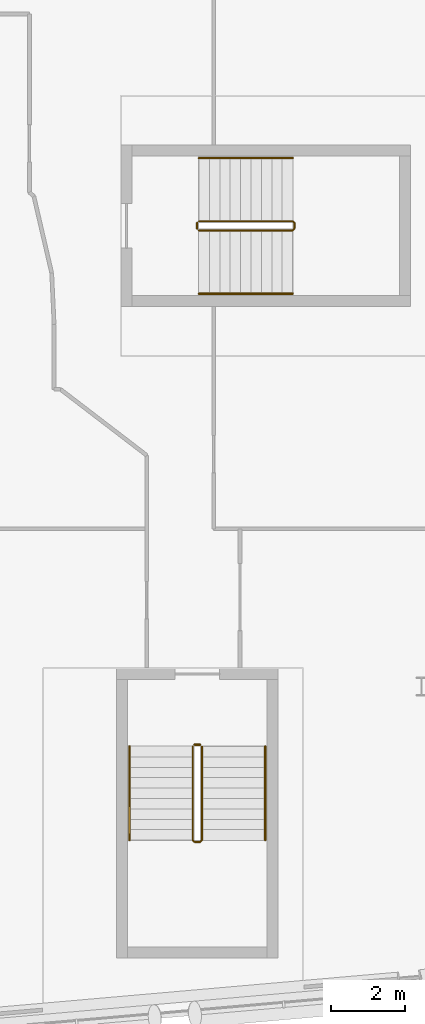
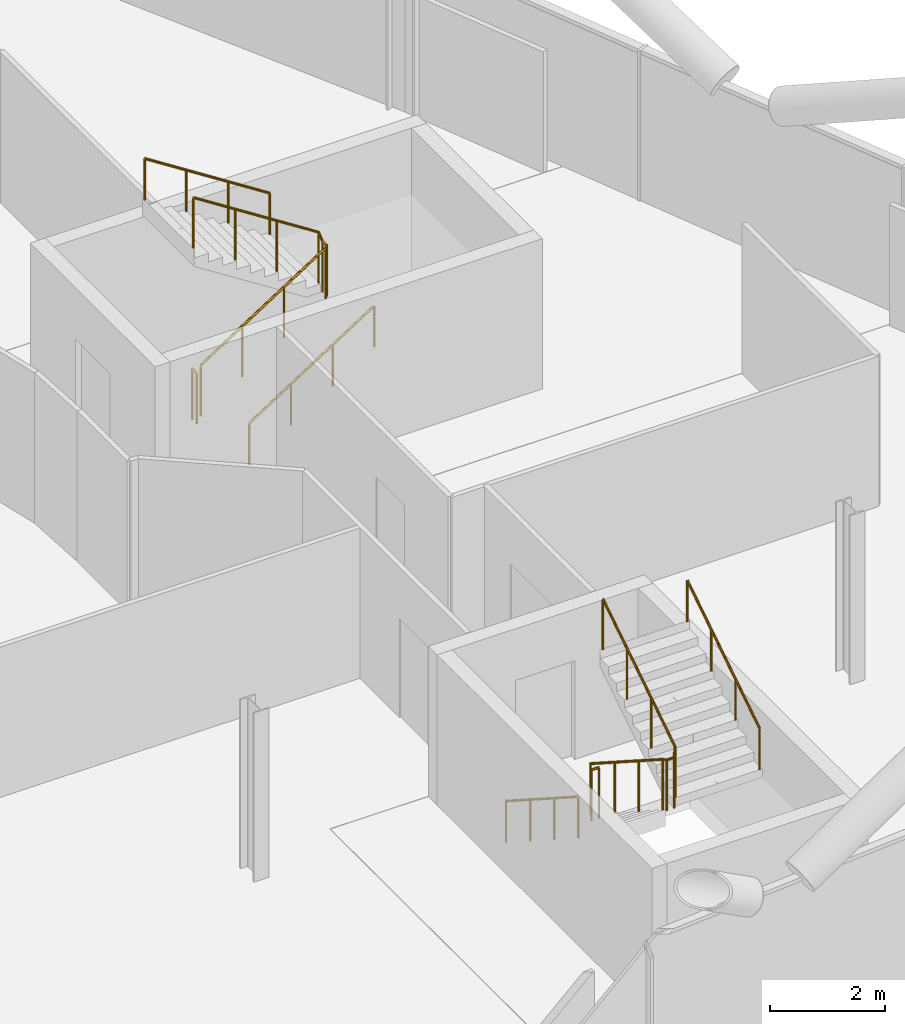
# One storey, part 25 of 26: 8 railings.
"""IFC4 building model written with IfcOpenShell, lengths in metres."""

from ifc_helpers import new_model, si_unit, direction, frame, origin, origin_2d, place, context, subcontext, project, spatial, circle, extrude, material, type_object, element, save


model = new_model("IFC4")

# Units and contexts
model_context = context("Model", 3, precision=1e-05, world=origin(), true_north=direction((0.0, 1.0)))
body_context = subcontext(model_context, "Body", "Model", "MODEL_VIEW")
ifc_project = project(units=[si_unit("LENGTHUNIT", "METRE"), si_unit("AREAUNIT", "SQUARE_METRE"), si_unit("VOLUMEUNIT", "CUBIC_METRE"), si_unit("PLANEANGLEUNIT", "RADIAN"), si_unit("MASSUNIT", "GRAM", prefix="KILO")], contexts=[model_context])

# Site, building, storey
site_placement = place(None, origin())
site = spatial("IfcSite", under=ifc_project, at=site_placement, CompositionType="ELEMENT")
building_placement = place(site_placement, origin())
building = spatial("IfcBuilding", under=site, at=building_placement, Name="Wharfspan Tower", CompositionType="ELEMENT")
storey_placement = place(building_placement, frame((0.0, 0.0, 166.300049)))
storey = spatial("IfcBuildingStorey", under=building, at=storey_placement, Name="L40", CompositionType="ELEMENT", Elevation=166.300049)

# Railings
ifc_material = material(Name="Steel S355J2", Category="steel")
railing_type_1 = type_object("IfcRailingType", Name="Stair guard 1100", PredefinedType="GUARDRAIL", material=ifc_material)
railing_1_placement = place(storey_placement, frame((65.836426, 9.883789, 0.179932)))
element("IfcRailing", 1, at=railing_1_placement, inside=storey, type_object=railing_type_1, Name="L40 ST5 stair guard 1", PredefinedType="GUARDRAIL", context=body_context, shape_type="SweptSolid", body=[
    extrude(circle(Radius=0.023926, at=origin_2d()), frame((0.0, 0.0, 1.076172), z_axis=(0.0, -0.841163, 0.540782), x_axis=(1.0, 0.0, 0.0)), (0.0, 0.0, 1.0), 2.99585),
    extrude(circle(Radius=0.023926, at=origin_2d()), frame((0.0, -2.52002, 2.696289), z_axis=(0.705376, -0.708834, 0.0), x_axis=(0.708834, 0.705376, 0.0)), (0.0, 0.0, 1.0), 0.070557),
    extrude(circle(Radius=0.023926, at=origin_2d()), frame((0.049805, -2.570068, 2.696289), z_axis=(1.0, 0.0, 0.0), x_axis=(0.0, 1.0, 0.0)), (0.0, 0.0, 1.0), 0.150146),
    extrude(circle(Radius=0.023926, at=origin_2d()), frame((0.199951, -2.570068, 2.696289), z_axis=(0.258848, 0.258848, 0.930589), x_axis=(-0.707107, 0.707107, 0.0)), (0.0, 0.0, 1.0), 0.193359),
    extrude(circle(Radius=0.023926, at=origin_2d()), frame((0.25, -2.52002, 2.875977), z_axis=(0.0, 0.8412, 0.540725), x_axis=(-1.0, 0.0, 0.0)), (0.0, 0.0, 1.0), 2.99585),
    extrude(circle(Radius=0.020996, at=origin_2d()), origin(), (0.0, 0.0, 1.0), 1.052002),
    extrude(circle(Radius=0.020996, at=origin_2d()), frame((0.0, -0.840088, 0.540039)), (0.0, 0.0, 1.0), 1.052002),
    extrude(circle(Radius=0.020996, at=origin_2d()), frame((0.0, -1.679932, 1.080078)), (0.0, 0.0, 1.0), 1.052002),
    extrude(circle(Radius=0.020996, at=origin_2d()), frame((0.0, -2.52002, 1.620117)), (0.0, 0.0, 1.0), 1.052002),
    extrude(circle(Radius=0.020996, at=origin_2d()), frame((0.049805, -2.570068, 1.620117)), (0.0, 0.0, 1.0), 1.052002),
    extrude(circle(Radius=0.020996, at=origin_2d()), frame((0.199951, -2.570068, 1.620117)), (0.0, 0.0, 1.0), 1.052002),
    extrude(circle(Radius=0.020996, at=origin_2d()), frame((0.25, -2.52002, 1.800049)), (0.0, 0.0, 1.0), 1.052002),
    extrude(circle(Radius=0.020996, at=origin_2d()), frame((0.25, -1.679932, 2.340088)), (0.0, 0.0, 1.0), 1.052002),
    extrude(circle(Radius=0.020996, at=origin_2d()), frame((0.25, -0.840088, 2.879883)), (0.0, 0.0, 1.0), 1.052002),
    extrude(circle(Radius=0.020996, at=origin_2d()), frame((0.25, 0.0, 3.419922)), (0.0, 0.0, 1.0), 1.052002),
])
railing_2_placement = place(storey_placement, frame((65.88623, 9.933594, 0.0)))
element("IfcRailing", 2, at=railing_2_placement, inside=storey, type_object=railing_type_1, Name="L40 ST5 stair guard 2", PredefinedType="GUARDRAIL", context=body_context, shape_type="SweptSolid", body=[
    extrude(circle(Radius=0.023926, at=origin_2d()), frame((0.0, 0.0, 1.076172), z_axis=(1.0, 0.0, 0.0), x_axis=(0.0, 1.0, 0.0)), (0.0, 0.0, 1.0), 0.150146),
    extrude(circle(Radius=0.020996, at=origin_2d()), origin(), (0.0, 0.0, 1.0), 1.052002),
    extrude(circle(Radius=0.020996, at=origin_2d()), frame((0.150146, 0.0, 0.0)), (0.0, 0.0, 1.0), 1.052002),
])
railing_3_placement = place(storey_placement, frame((66.004639, 23.774902, 0.179932)))
element("IfcRailing", 3, at=railing_3_placement, inside=storey, type_object=railing_type_1, Name="L40 ST6 stair guard 1", PredefinedType="GUARDRAIL", context=body_context, shape_type="SweptSolid", body=[
    extrude(circle(Radius=0.023926, at=origin_2d()), frame((0.0, 0.0, 1.076172), z_axis=(0.841163, 0.0, 0.540782), x_axis=(0.0, 1.0, 0.0)), (0.0, 0.0, 1.0), 2.99585),
    extrude(circle(Radius=0.023926, at=origin_2d()), frame((2.52002, 0.0, 2.696289), z_axis=(0.707107, 0.707107, 0.0), x_axis=(-0.707107, 0.707107, 0.0)), (0.0, 0.0, 1.0), 0.070801),
    extrude(circle(Radius=0.023926, at=origin_2d()), frame((2.570068, 0.050049, 2.696289), z_axis=(0.0, 1.0, 0.0), x_axis=(-1.0, 0.0, 0.0)), (0.0, 0.0, 1.0), 0.150146),
    extrude(circle(Radius=0.023926, at=origin_2d()), frame((2.570068, 0.200195, 2.696289), z_axis=(-0.258932, 0.257669, 0.930892), x_axis=(-0.705372, -0.708833, 1e-06)), (0.0, 0.0, 1.0), 0.193359),
    extrude(circle(Radius=0.023926, at=origin_2d()), frame((2.52002, 0.25, 2.875977), z_axis=(-0.8412, 0.0, 0.540725), x_axis=(0.0, -1.0, 0.0)), (0.0, 0.0, 1.0), 2.99585),
    extrude(circle(Radius=0.020996, at=origin_2d()), origin(), (0.0, 0.0, 1.0), 1.052002),
    extrude(circle(Radius=0.020996, at=origin_2d()), frame((0.840088, 0.0, 0.540039)), (0.0, 0.0, 1.0), 1.052002),
    extrude(circle(Radius=0.020996, at=origin_2d()), frame((1.679932, 0.0, 1.080078)), (0.0, 0.0, 1.0), 1.052002),
    extrude(circle(Radius=0.020996, at=origin_2d()), frame((2.52002, 0.0, 1.620117)), (0.0, 0.0, 1.0), 1.052002),
    extrude(circle(Radius=0.020996, at=origin_2d()), frame((2.570068, 0.050049, 1.620117)), (0.0, 0.0, 1.0), 1.052002),
    extrude(circle(Radius=0.020996, at=origin_2d()), frame((2.570068, 0.200195, 1.620117)), (0.0, 0.0, 1.0), 1.052002),
    extrude(circle(Radius=0.020996, at=origin_2d()), frame((2.52002, 0.25, 1.800049)), (0.0, 0.0, 1.0), 1.052002),
    extrude(circle(Radius=0.020996, at=origin_2d()), frame((1.679932, 0.25, 2.340088)), (0.0, 0.0, 1.0), 1.052002),
    extrude(circle(Radius=0.020996, at=origin_2d()), frame((0.840088, 0.25, 2.879883)), (0.0, 0.0, 1.0), 1.052002),
    extrude(circle(Radius=0.020996, at=origin_2d()), frame((0.0, 0.25, 3.419922)), (0.0, 0.0, 1.0), 1.052002),
])
railing_4_placement = place(storey_placement, frame((65.95459, 23.824951, 0.0)))
element("IfcRailing", 4, at=railing_4_placement, inside=storey, type_object=railing_type_1, Name="L40 ST6 stair guard 2", PredefinedType="GUARDRAIL", context=body_context, shape_type="SweptSolid", body=[
    extrude(circle(Radius=0.023926, at=origin_2d()), frame((0.0, 0.0, 1.076172), z_axis=(0.0, 1.0, 0.0), x_axis=(-1.0, 0.0, 0.0)), (0.0, 0.0, 1.0), 0.150146),
    extrude(circle(Radius=0.020996, at=origin_2d()), origin(), (0.0, 0.0, 1.0), 1.052002),
    extrude(circle(Radius=0.020996, at=origin_2d()), frame((0.0, 0.150146, 0.0)), (0.0, 0.0, 1.0), 1.052002),
])
railing_type_2 = type_object("IfcRailingType", Name="Stair handrail 900", PredefinedType="HANDRAIL", material=ifc_material)
railing_5_placement = place(storey_placement, frame((64.13623, 9.883789, 0.179932)))
element("IfcRailing", 5, at=railing_5_placement, inside=storey, type_object=railing_type_2, Name="L40 ST5 stair handrail 1", PredefinedType="HANDRAIL", context=body_context, shape_type="SweptSolid", body=[
    extrude(circle(Radius=0.023926, at=origin_2d()), frame((0.0, 0.0, 0.875977), z_axis=(0.0, -0.841163, 0.540782), x_axis=(1.0, 0.0, 0.0)), (0.0, 0.0, 1.0), 2.99585),
    extrude(circle(Radius=0.020996, at=origin_2d()), origin(), (0.0, 0.0, 1.0), 0.851807),
    extrude(circle(Radius=0.020996, at=origin_2d()), frame((0.0, -0.840088, 0.540039)), (0.0, 0.0, 1.0), 0.851807),
    extrude(circle(Radius=0.020996, at=origin_2d()), frame((0.0, -1.679932, 1.080078)), (0.0, 0.0, 1.0), 0.851807),
    extrude(circle(Radius=0.020996, at=origin_2d()), frame((0.0, -2.52002, 1.620117)), (0.0, 0.0, 1.0), 0.851807),
])
railing_6_placement = place(storey_placement, frame((67.786377, 7.36377, 1.97998)))
element("IfcRailing", 6, at=railing_6_placement, inside=storey, type_object=railing_type_2, Name="L40 ST5 stair handrail 2", PredefinedType="HANDRAIL", context=body_context, shape_type="SweptSolid", body=[
    extrude(circle(Radius=0.023926, at=origin_2d()), frame((0.0, 0.0, 0.875977), z_axis=(0.0, 0.8412, 0.540725), x_axis=(-1.0, 0.0, 0.0)), (0.0, 0.0, 1.0), 2.99585),
    extrude(circle(Radius=0.020996, at=origin_2d()), origin(), (0.0, 0.0, 1.0), 0.851807),
    extrude(circle(Radius=0.020996, at=origin_2d()), frame((0.0, 0.840088, 0.540039)), (0.0, 0.0, 1.0), 0.851807),
    extrude(circle(Radius=0.020996, at=origin_2d()), frame((0.0, 1.679932, 1.079834)), (0.0, 0.0, 1.0), 0.851807),
    extrude(circle(Radius=0.020996, at=origin_2d()), frame((0.0, 2.52002, 1.619873)), (0.0, 0.0, 1.0), 0.851807),
])
railing_7_placement = place(storey_placement, frame((66.004639, 22.074951, 0.179932)))
element("IfcRailing", 7, at=railing_7_placement, inside=storey, type_object=railing_type_2, Name="L40 ST6 stair handrail 1", PredefinedType="HANDRAIL", context=body_context, shape_type="SweptSolid", body=[
    extrude(circle(Radius=0.023926, at=origin_2d()), frame((0.0, 0.0, 0.875977), z_axis=(0.841163, 0.0, 0.540782), x_axis=(0.0, 1.0, 0.0)), (0.0, 0.0, 1.0), 2.99585),
    extrude(circle(Radius=0.020996, at=origin_2d()), origin(), (0.0, 0.0, 1.0), 0.851807),
    extrude(circle(Radius=0.020996, at=origin_2d()), frame((0.840088, 0.0, 0.540039)), (0.0, 0.0, 1.0), 0.851807),
    extrude(circle(Radius=0.020996, at=origin_2d()), frame((1.679932, 0.0, 1.080078)), (0.0, 0.0, 1.0), 0.851807),
    extrude(circle(Radius=0.020996, at=origin_2d()), frame((2.52002, 0.0, 1.620117)), (0.0, 0.0, 1.0), 0.851807),
])
railing_8_placement = place(storey_placement, frame((68.524658, 25.725098, 1.97998)))
element("IfcRailing", 8, at=railing_8_placement, inside=storey, type_object=railing_type_2, Name="L40 ST6 stair handrail 2", PredefinedType="HANDRAIL", context=body_context, shape_type="SweptSolid", body=[
    extrude(circle(Radius=0.023926, at=origin_2d()), frame((0.0, 0.0, 0.875977), z_axis=(-0.8412, 0.0, 0.540725), x_axis=(0.0, -1.0, 0.0)), (0.0, 0.0, 1.0), 2.99585),
    extrude(circle(Radius=0.020996, at=origin_2d()), origin(), (0.0, 0.0, 1.0), 0.851807),
    extrude(circle(Radius=0.020996, at=origin_2d()), frame((-0.840088, 0.0, 0.540039)), (0.0, 0.0, 1.0), 0.851807),
    extrude(circle(Radius=0.020996, at=origin_2d()), frame((-1.679932, 0.0, 1.079834)), (0.0, 0.0, 1.0), 0.851807),
    extrude(circle(Radius=0.020996, at=origin_2d()), frame((-2.52002, 0.0, 1.619873)), (0.0, 0.0, 1.0), 0.851807),
])

save(model, "model.ifc")
